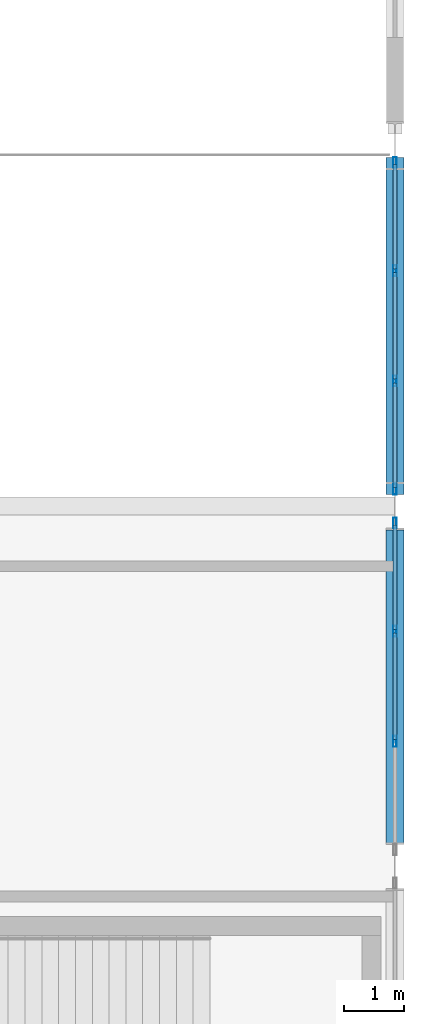
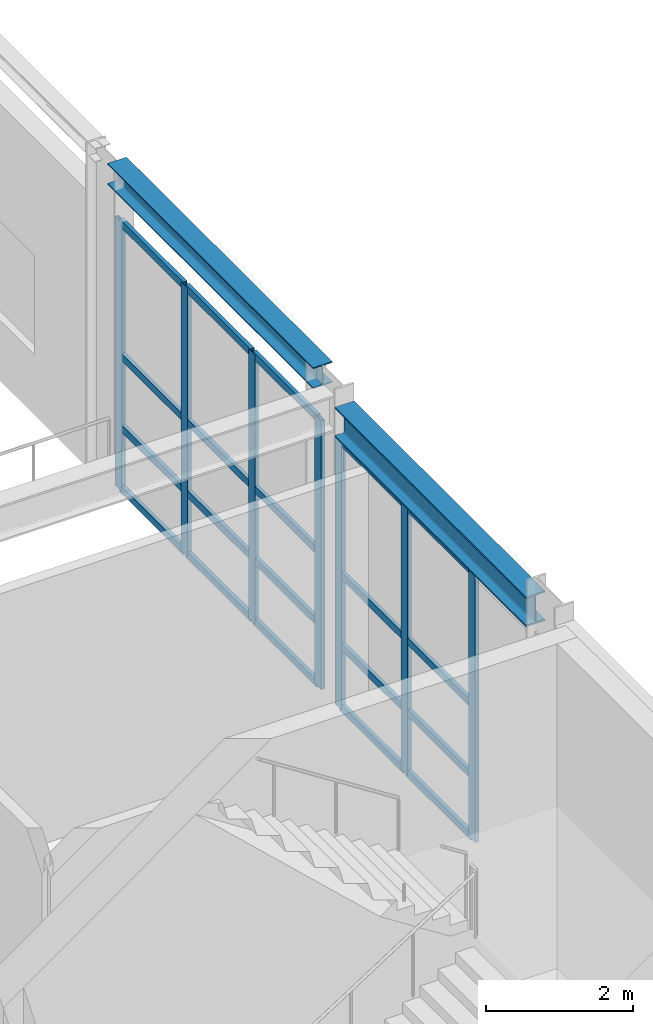
# One storey, part 117 of 210: 27 members, 2 beams, 2 elements without a shape of their own.
"""IFC4 building model written with IfcOpenShell, lengths in metres."""

from ifc_helpers import new_model, si_unit, direction, frame, origin, origin_2d, place, context, subcontext, project, spatial, hollow_rectangle, i_section, extrude, material, material_profile, profile_set, type_object, element, aggregate, save


model = new_model("IFC4")

# Units and contexts
model_context = context("Model", 3, precision=1e-05, world=origin(), true_north=direction((0.0, 1.0)))
body_context = subcontext(model_context, "Body", "Model", "MODEL_VIEW")
ifc_project = project(units=[si_unit("LENGTHUNIT", "METRE"), si_unit("AREAUNIT", "SQUARE_METRE"), si_unit("VOLUMEUNIT", "CUBIC_METRE"), si_unit("PLANEANGLEUNIT", "RADIAN"), si_unit("MASSUNIT", "GRAM", prefix="KILO")], contexts=[model_context])

# Site, building, storey
site_placement = place(None, origin())
site = spatial("IfcSite", under=ifc_project, at=site_placement, CompositionType="ELEMENT")
building_placement = place(site_placement, origin())
building = spatial("IfcBuilding", under=site, at=building_placement, Name="Kaldris Quays Convention Centre", CompositionType="ELEMENT")
storey_placement = place(building_placement, frame((0.0, 0.0, 6.0)))
storey = spatial("IfcBuildingStorey", under=building, at=storey_placement, Name="L01", CompositionType="ELEMENT", Elevation=6.0)

# Curtain wall, members
ifc_material_1 = material(Name="Anodized aluminium AW-6060 and triple glazing", Category="aluminium")
curtain_wall_type = type_object("IfcCurtainWallType", Name="UNITISED CURTAIN WALL CW02", PredefinedType="NOTDEFINED", material=ifc_material_1)
curtain_wall_1_placement = place(storey_placement, origin())
curtain_wall_1 = element("IfcCurtainWall", 1, at=curtain_wall_1_placement, inside=storey, type_object=curtain_wall_type, Name="L01 Unitised Curtain Wall CW02 27", PredefinedType="NOTDEFINED")
ifc_material_2 = material(Name="Anodized aluminium AW-6060", Category="aluminium")
ifc_material_profile_1 = material_profile(ifc_material_2, hollow_rectangle(XDim=0.06005859375, YDim=0.179931640625, WallThickness=0.0048828125, at=origin_2d()), Name="RHS 180x60x5")
ifc_profile_set_1 = profile_set([ifc_material_profile_1], Name="Anodized aluminium AW-6060")
member_type_1 = type_object("IfcMemberType", Name="CURTAIN MULLION CWM2", PredefinedType="MULLION", material=ifc_profile_set_1)
member_1_placement = place(storey_placement, frame((204.0, 64.083251953125, 0.0), z_axis=(0.0, 0.0, 1.0), x_axis=(-1.0, 0.0, 0.0)))
member_1 = element("IfcMember", 2, at=member_1_placement, type_object=member_type_1, Name="CW02 mullion 2", PredefinedType="MULLION", context=body_context, shape_type="SweptSolid", body=[
    extrude(hollow_rectangle(XDim=0.06005859375, YDim=0.179931640625, WallThickness=0.0048828125, at=origin_2d()), origin(), (0.0, 0.0, 1.0), 4.47802734375),
])
member_2_placement = place(storey_placement, frame((204.0, 65.916748046875, 0.0), z_axis=(0.0, 0.0, 1.0), x_axis=(-1.0, 0.0, 0.0)))
member_2 = element("IfcMember", 3, at=member_2_placement, type_object=member_type_1, Name="CW02 mullion 3", PredefinedType="MULLION", context=body_context, shape_type="SweptSolid", body=[
    extrude(hollow_rectangle(XDim=0.06005859375, YDim=0.179931640625, WallThickness=0.0048828125, at=origin_2d()), origin(), (0.0, 0.0, 1.0), 4.47802734375),
])
member_3_placement = place(storey_placement, frame((204.0, 67.719970703125, 0.0), z_axis=(0.0, 0.0, 1.0), x_axis=(-1.0, 0.0, 0.0)))
member_3 = element("IfcMember", 4, at=member_3_placement, type_object=member_type_1, Name="CW02 mullion 4", PredefinedType="MULLION", context=body_context, shape_type="SweptSolid", body=[
    extrude(hollow_rectangle(XDim=0.06005859375, YDim=0.179931640625, WallThickness=0.0048828125, at=origin_2d()), origin(), (0.0, 0.0, 1.0), 4.47802734375),
])

curtain_wall_2_placement = place(storey_placement, origin())
curtain_wall_2 = element("IfcCurtainWall", 5, at=curtain_wall_2_placement, inside=storey, type_object=curtain_wall_type, Name="L01 Unitised Curtain Wall CW02 28", PredefinedType="NOTDEFINED")
member_4_placement = place(storey_placement, frame((204.0, 68.280029296875, 0.0), z_axis=(0.0, 0.0, 1.0), x_axis=(-1.0, 0.0, 0.0)))
member_4 = element("IfcMember", 6, at=member_4_placement, type_object=member_type_1, Name="CW02 mullion 1", PredefinedType="MULLION", context=body_context, shape_type="SweptSolid", body=[
    extrude(hollow_rectangle(XDim=0.06005859375, YDim=0.179931640625, WallThickness=0.0048828125, at=origin_2d()), origin(), (0.0, 0.0, 1.0), 4.47802734375),
])
member_5_placement = place(storey_placement, frame((204.0, 70.083251953125, 0.0), z_axis=(0.0, 0.0, 1.0), x_axis=(-1.0, 0.0, 0.0)))
member_5 = element("IfcMember", 7, at=member_5_placement, type_object=member_type_1, Name="CW02 mullion 2", PredefinedType="MULLION", context=body_context, shape_type="SweptSolid", body=[
    extrude(hollow_rectangle(XDim=0.06005859375, YDim=0.179931640625, WallThickness=0.0048828125, at=origin_2d()), origin(), (0.0, 0.0, 1.0), 4.47802734375),
])
member_6_placement = place(storey_placement, frame((204.0, 71.916748046875, 0.0), z_axis=(0.0, 0.0, 1.0), x_axis=(-1.0, 0.0, 0.0)))
member_6 = element("IfcMember", 8, at=member_6_placement, type_object=member_type_1, Name="CW02 mullion 3", PredefinedType="MULLION", context=body_context, shape_type="SweptSolid", body=[
    extrude(hollow_rectangle(XDim=0.06005859375, YDim=0.179931640625, WallThickness=0.0048828125, at=origin_2d()), origin(), (0.0, 0.0, 1.0), 4.47802734375),
])
member_7_placement = place(storey_placement, frame((204.0, 73.719970703125, 0.0), z_axis=(0.0, 0.0, 1.0), x_axis=(-1.0, 0.0, 0.0)))
member_7 = element("IfcMember", 9, at=member_7_placement, type_object=member_type_1, Name="CW02 mullion 4", PredefinedType="MULLION", context=body_context, shape_type="SweptSolid", body=[
    extrude(hollow_rectangle(XDim=0.06005859375, YDim=0.179931640625, WallThickness=0.0048828125, at=origin_2d()), origin(), (0.0, 0.0, 1.0), 4.47802734375),
])

# Member
ifc_material_profile_2 = material_profile(ifc_material_2, hollow_rectangle(XDim=0.06005859375, YDim=0.1201171875, WallThickness=0.00390625, at=origin_2d()), Name="RHS 120x60x4")
ifc_profile_set_2 = profile_set([ifc_material_profile_2], Name="Anodized aluminium AW-6060")
member_type_2 = type_object("IfcMemberType", Name="CURTAIN TRANSOM CWT1", PredefinedType="USERDEFINED", material=ifc_profile_set_2)
member_8_placement = place(storey_placement, frame((204.0, 64.11328125, 0.030029296875), z_axis=(0.0, 1.0, 0.0), x_axis=(-1.0, 0.0, 0.0)))
member_8 = element("IfcMember", 10, at=member_8_placement, type_object=member_type_2, Name="CW02 transom 2.1", ObjectType="TRANSOM", PredefinedType="USERDEFINED", context=body_context, shape_type="SweptSolid", body=[
    extrude(hollow_rectangle(XDim=0.06005859375, YDim=0.1201171875, WallThickness=0.00390625, at=origin_2d()), origin(), (0.0, 0.0, 1.0), 1.7734375),
])

member_9_placement = place(storey_placement, frame((204.0, 64.11328125, 1.050048828125), z_axis=(0.0, 1.0, 0.0), x_axis=(-1.0, 0.0, 0.0)))
member_9 = element("IfcMember", 11, at=member_9_placement, type_object=member_type_2, Name="CW02 transom 2.2", ObjectType="TRANSOM", PredefinedType="USERDEFINED", context=body_context, shape_type="SweptSolid", body=[
    extrude(hollow_rectangle(XDim=0.06005859375, YDim=0.1201171875, WallThickness=0.00390625, at=origin_2d()), origin(), (0.0, 0.0, 1.0), 1.7734375),
])

member_10_placement = place(storey_placement, frame((204.0, 64.11328125, 2.239013671875), z_axis=(0.0, 1.0, 0.0), x_axis=(-1.0, 0.0, 0.0)))
member_10 = element("IfcMember", 12, at=member_10_placement, type_object=member_type_2, Name="CW02 transom 2.3", ObjectType="TRANSOM", PredefinedType="USERDEFINED", context=body_context, shape_type="SweptSolid", body=[
    extrude(hollow_rectangle(XDim=0.06005859375, YDim=0.1201171875, WallThickness=0.00390625, at=origin_2d()), origin(), (0.0, 0.0, 1.0), 1.7734375),
])

member_11_placement = place(storey_placement, frame((204.0, 64.11328125, 4.447998046875), z_axis=(0.0, 1.0, 0.0), x_axis=(-1.0, 0.0, 0.0)))
member_11 = element("IfcMember", 13, at=member_11_placement, type_object=member_type_2, Name="CW02 transom 2.4", ObjectType="TRANSOM", PredefinedType="USERDEFINED", context=body_context, shape_type="SweptSolid", body=[
    extrude(hollow_rectangle(XDim=0.06005859375, YDim=0.1201171875, WallThickness=0.00390625, at=origin_2d()), origin(), (0.0, 0.0, 1.0), 1.7734375),
])

member_12_placement = place(storey_placement, frame((204.0, 65.94677734375, 0.030029296875), z_axis=(0.0, 1.0, 0.0), x_axis=(-1.0, 0.0, 0.0)))
member_12 = element("IfcMember", 14, at=member_12_placement, type_object=member_type_2, Name="CW02 transom 3.1", ObjectType="TRANSOM", PredefinedType="USERDEFINED", context=body_context, shape_type="SweptSolid", body=[
    extrude(hollow_rectangle(XDim=0.06005859375, YDim=0.1201171875, WallThickness=0.00390625, at=origin_2d()), origin(), (0.0, 0.0, 1.0), 1.7431640625),
])

member_13_placement = place(storey_placement, frame((204.0, 65.94677734375, 1.050048828125), z_axis=(0.0, 1.0, 0.0), x_axis=(-1.0, 0.0, 0.0)))
member_13 = element("IfcMember", 15, at=member_13_placement, type_object=member_type_2, Name="CW02 transom 3.2", ObjectType="TRANSOM", PredefinedType="USERDEFINED", context=body_context, shape_type="SweptSolid", body=[
    extrude(hollow_rectangle(XDim=0.06005859375, YDim=0.1201171875, WallThickness=0.00390625, at=origin_2d()), origin(), (0.0, 0.0, 1.0), 1.7431640625),
])

member_14_placement = place(storey_placement, frame((204.0, 65.94677734375, 2.239013671875), z_axis=(0.0, 1.0, 0.0), x_axis=(-1.0, 0.0, 0.0)))
member_14 = element("IfcMember", 16, at=member_14_placement, type_object=member_type_2, Name="CW02 transom 3.3", ObjectType="TRANSOM", PredefinedType="USERDEFINED", context=body_context, shape_type="SweptSolid", body=[
    extrude(hollow_rectangle(XDim=0.06005859375, YDim=0.1201171875, WallThickness=0.00390625, at=origin_2d()), origin(), (0.0, 0.0, 1.0), 1.7431640625),
])

member_15_placement = place(storey_placement, frame((204.0, 65.94677734375, 4.447998046875), z_axis=(0.0, 1.0, 0.0), x_axis=(-1.0, 0.0, 0.0)))
member_15 = element("IfcMember", 17, at=member_15_placement, type_object=member_type_2, Name="CW02 transom 3.4", ObjectType="TRANSOM", PredefinedType="USERDEFINED", context=body_context, shape_type="SweptSolid", body=[
    extrude(hollow_rectangle(XDim=0.06005859375, YDim=0.1201171875, WallThickness=0.00390625, at=origin_2d()), origin(), (0.0, 0.0, 1.0), 1.7431640625),
])

aggregate(curtain_wall_1, [member_1, member_2, member_3, member_8, member_9, member_10, member_11, member_12, member_13, member_14, member_15])

member_16_placement = place(storey_placement, frame((204.0, 68.31005859375, 0.030029296875), z_axis=(0.0, 1.0, 0.0), x_axis=(-1.0, 0.0, 0.0)))
member_16 = element("IfcMember", 18, at=member_16_placement, type_object=member_type_2, Name="CW02 transom 1.1", ObjectType="TRANSOM", PredefinedType="USERDEFINED", context=body_context, shape_type="SweptSolid", body=[
    extrude(hollow_rectangle(XDim=0.06005859375, YDim=0.1201171875, WallThickness=0.00390625, at=origin_2d()), origin(), (0.0, 0.0, 1.0), 1.7431640625),
])

member_17_placement = place(storey_placement, frame((204.0, 68.31005859375, 1.050048828125), z_axis=(0.0, 1.0, 0.0), x_axis=(-1.0, 0.0, 0.0)))
member_17 = element("IfcMember", 19, at=member_17_placement, type_object=member_type_2, Name="CW02 transom 1.2", ObjectType="TRANSOM", PredefinedType="USERDEFINED", context=body_context, shape_type="SweptSolid", body=[
    extrude(hollow_rectangle(XDim=0.06005859375, YDim=0.1201171875, WallThickness=0.00390625, at=origin_2d()), origin(), (0.0, 0.0, 1.0), 1.7431640625),
])

member_18_placement = place(storey_placement, frame((204.0, 68.31005859375, 2.239013671875), z_axis=(0.0, 1.0, 0.0), x_axis=(-1.0, 0.0, 0.0)))
member_18 = element("IfcMember", 20, at=member_18_placement, type_object=member_type_2, Name="CW02 transom 1.3", ObjectType="TRANSOM", PredefinedType="USERDEFINED", context=body_context, shape_type="SweptSolid", body=[
    extrude(hollow_rectangle(XDim=0.06005859375, YDim=0.1201171875, WallThickness=0.00390625, at=origin_2d()), origin(), (0.0, 0.0, 1.0), 1.7431640625),
])

member_19_placement = place(storey_placement, frame((204.0, 68.31005859375, 4.447998046875), z_axis=(0.0, 1.0, 0.0), x_axis=(-1.0, 0.0, 0.0)))
member_19 = element("IfcMember", 21, at=member_19_placement, type_object=member_type_2, Name="CW02 transom 1.4", ObjectType="TRANSOM", PredefinedType="USERDEFINED", context=body_context, shape_type="SweptSolid", body=[
    extrude(hollow_rectangle(XDim=0.06005859375, YDim=0.1201171875, WallThickness=0.00390625, at=origin_2d()), origin(), (0.0, 0.0, 1.0), 1.7431640625),
])

member_20_placement = place(storey_placement, frame((204.0, 70.11328125, 0.030029296875), z_axis=(0.0, 1.0, 0.0), x_axis=(-1.0, 0.0, 0.0)))
member_20 = element("IfcMember", 22, at=member_20_placement, type_object=member_type_2, Name="CW02 transom 2.1", ObjectType="TRANSOM", PredefinedType="USERDEFINED", context=body_context, shape_type="SweptSolid", body=[
    extrude(hollow_rectangle(XDim=0.06005859375, YDim=0.1201171875, WallThickness=0.00390625, at=origin_2d()), origin(), (0.0, 0.0, 1.0), 1.7734375),
])

member_21_placement = place(storey_placement, frame((204.0, 70.11328125, 1.050048828125), z_axis=(0.0, 1.0, 0.0), x_axis=(-1.0, 0.0, 0.0)))
member_21 = element("IfcMember", 23, at=member_21_placement, type_object=member_type_2, Name="CW02 transom 2.2", ObjectType="TRANSOM", PredefinedType="USERDEFINED", context=body_context, shape_type="SweptSolid", body=[
    extrude(hollow_rectangle(XDim=0.06005859375, YDim=0.1201171875, WallThickness=0.00390625, at=origin_2d()), origin(), (0.0, 0.0, 1.0), 1.7734375),
])

member_22_placement = place(storey_placement, frame((204.0, 70.11328125, 2.239013671875), z_axis=(0.0, 1.0, 0.0), x_axis=(-1.0, 0.0, 0.0)))
member_22 = element("IfcMember", 24, at=member_22_placement, type_object=member_type_2, Name="CW02 transom 2.3", ObjectType="TRANSOM", PredefinedType="USERDEFINED", context=body_context, shape_type="SweptSolid", body=[
    extrude(hollow_rectangle(XDim=0.06005859375, YDim=0.1201171875, WallThickness=0.00390625, at=origin_2d()), origin(), (0.0, 0.0, 1.0), 1.7734375),
])

member_23_placement = place(storey_placement, frame((204.0, 70.11328125, 4.447998046875), z_axis=(0.0, 1.0, 0.0), x_axis=(-1.0, 0.0, 0.0)))
member_23 = element("IfcMember", 25, at=member_23_placement, type_object=member_type_2, Name="CW02 transom 2.4", ObjectType="TRANSOM", PredefinedType="USERDEFINED", context=body_context, shape_type="SweptSolid", body=[
    extrude(hollow_rectangle(XDim=0.06005859375, YDim=0.1201171875, WallThickness=0.00390625, at=origin_2d()), origin(), (0.0, 0.0, 1.0), 1.7734375),
])

member_24_placement = place(storey_placement, frame((204.0, 71.94677734375, 0.030029296875), z_axis=(0.0, 1.0, 0.0), x_axis=(-1.0, 0.0, 0.0)))
member_24 = element("IfcMember", 26, at=member_24_placement, type_object=member_type_2, Name="CW02 transom 3.1", ObjectType="TRANSOM", PredefinedType="USERDEFINED", context=body_context, shape_type="SweptSolid", body=[
    extrude(hollow_rectangle(XDim=0.06005859375, YDim=0.1201171875, WallThickness=0.00390625, at=origin_2d()), origin(), (0.0, 0.0, 1.0), 1.7431640625),
])

member_25_placement = place(storey_placement, frame((204.0, 71.94677734375, 1.050048828125), z_axis=(0.0, 1.0, 0.0), x_axis=(-1.0, 0.0, 0.0)))
member_25 = element("IfcMember", 27, at=member_25_placement, type_object=member_type_2, Name="CW02 transom 3.2", ObjectType="TRANSOM", PredefinedType="USERDEFINED", context=body_context, shape_type="SweptSolid", body=[
    extrude(hollow_rectangle(XDim=0.06005859375, YDim=0.1201171875, WallThickness=0.00390625, at=origin_2d()), origin(), (0.0, 0.0, 1.0), 1.7431640625),
])

member_26_placement = place(storey_placement, frame((204.0, 71.94677734375, 2.239013671875), z_axis=(0.0, 1.0, 0.0), x_axis=(-1.0, 0.0, 0.0)))
member_26 = element("IfcMember", 28, at=member_26_placement, type_object=member_type_2, Name="CW02 transom 3.3", ObjectType="TRANSOM", PredefinedType="USERDEFINED", context=body_context, shape_type="SweptSolid", body=[
    extrude(hollow_rectangle(XDim=0.06005859375, YDim=0.1201171875, WallThickness=0.00390625, at=origin_2d()), origin(), (0.0, 0.0, 1.0), 1.7431640625),
])

member_27_placement = place(storey_placement, frame((204.0, 71.94677734375, 4.447998046875), z_axis=(0.0, 1.0, 0.0), x_axis=(-1.0, 0.0, 0.0)))
member_27 = element("IfcMember", 29, at=member_27_placement, type_object=member_type_2, Name="CW02 transom 3.4", ObjectType="TRANSOM", PredefinedType="USERDEFINED", context=body_context, shape_type="SweptSolid", body=[
    extrude(hollow_rectangle(XDim=0.06005859375, YDim=0.1201171875, WallThickness=0.00390625, at=origin_2d()), origin(), (0.0, 0.0, 1.0), 1.7431640625),
])

aggregate(curtain_wall_2, [member_4, member_5, member_6, member_7, member_16, member_17, member_18, member_19, member_20, member_21, member_22, member_23, member_24, member_25, member_26, member_27])

# Beams
ifc_material_3 = material(Name="Steel S355J2", Category="steel")
ifc_material_profile_3 = material_profile(ifc_material_3, i_section(OverallWidth=0.300048828125, OverallDepth=0.5, WebThickness=0.014404296875, FlangeThickness=0.028076171875, FilletRadius=0.027099609375, at=origin_2d()), Name="HEB 500")
ifc_profile_set_3 = profile_set([ifc_material_profile_3], Name="Steel S355J2")
beam_type_1 = type_object("IfcBeamType", Name="STRUCTURAL BEAM BM06", PredefinedType="BEAM", material=ifc_profile_set_3)
beam_1_placement = place(storey_placement, frame((204.0, 62.39404296875, 4.85302734375), z_axis=(0.0, 1.0, 0.0), x_axis=(-1.0, 0.0, 0.0)))
element("IfcBeam", 30, at=beam_1_placement, inside=storey, type_object=beam_type_1, Name="L01 Girder BM06 20", PredefinedType="BEAM", context=body_context, shape_type="SweptSolid", body=[
    extrude(i_section(OverallWidth=0.300048828125, OverallDepth=0.5, WebThickness=0.014404296875, FlangeThickness=0.028076171875, FilletRadius=0.027099609375, at=origin_2d()), origin(), (0.0, 0.0, 1.0), 5.2119140625),
])
ifc_material_profile_4 = material_profile(ifc_material_3, i_section(OverallWidth=0.300048828125, OverallDepth=0.35009765625, WebThickness=0.010009765625, FlangeThickness=0.017578125, FilletRadius=0.027099609375, at=origin_2d()), Name="HEA 360")
ifc_profile_set_4 = profile_set([ifc_material_profile_4], Name="Steel S355J2")
beam_type_2 = type_object("IfcBeamType", Name="STRUCTURAL BEAM SP02", PredefinedType="SPANDREL", material=ifc_profile_set_4)
beam_2_placement = place(storey_placement, frame((204.0, 68.195068359375, 5.22509765625), z_axis=(0.0, 1.0, 0.0), x_axis=(-1.0, 0.0, 0.0)))
element("IfcBeam", 31, at=beam_2_placement, inside=storey, type_object=beam_type_2, Name="L01 Perimeter Wall-Bearing Spandrel SP02 44", PredefinedType="SPANDREL", context=body_context, shape_type="SweptSolid", body=[
    extrude(i_section(OverallWidth=0.300048828125, OverallDepth=0.35009765625, WebThickness=0.010009765625, FlangeThickness=0.017578125, FilletRadius=0.027099609375, at=origin_2d()), origin(), (0.0, 0.0, 1.0), 5.60986328125),
])

save(model, "model.ifc")
